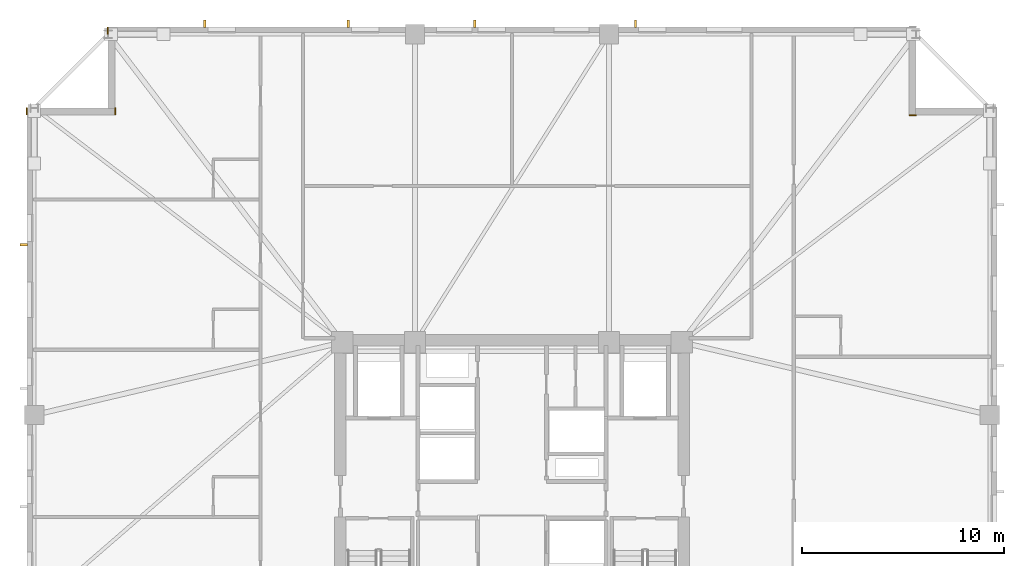
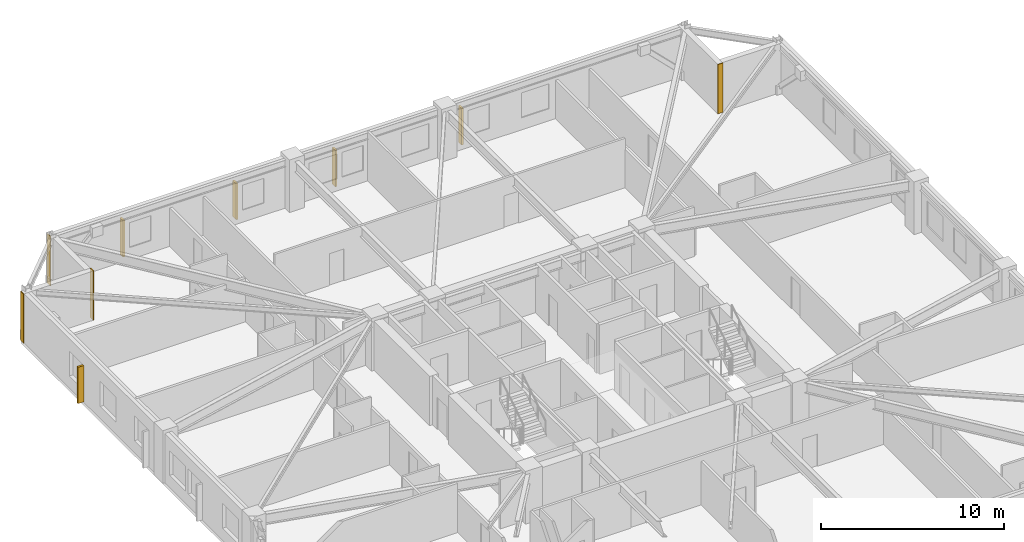
# One storey, part 10 of 11: 5 shading devices, 4 coverings.
"""IFC4 building model written with IfcOpenShell, lengths in metres."""

from ifc_helpers import new_model, si_unit, direction, frame, frame_2d, origin, origin_2d, place, context, subcontext, project, spatial, rectangle, extrude, material, layer, layer_set, type_object, element, save


model = new_model("IFC4")

# Units and contexts
model_context = context("Model", 3, precision=1e-05, world=origin(), true_north=direction((0.0, 1.0)))
body_context = subcontext(model_context, "Body", "Model", "MODEL_VIEW")
ifc_project = project(units=[si_unit("LENGTHUNIT", "METRE"), si_unit("AREAUNIT", "SQUARE_METRE"), si_unit("VOLUMEUNIT", "CUBIC_METRE"), si_unit("PLANEANGLEUNIT", "RADIAN"), si_unit("MASSUNIT", "GRAM", prefix="KILO")], contexts=[model_context])

# Site, building, storey
site_placement = place(None, origin())
site = spatial("IfcSite", under=ifc_project, at=site_placement, CompositionType="ELEMENT")
building_placement = place(site_placement, origin())
building = spatial("IfcBuilding", under=site, at=building_placement, Name="Cairnveth Concourse Tower", CompositionType="ELEMENT")
storey_placement = place(building_placement, frame((0.0, 0.0, 148.0)))
storey = spatial("IfcBuildingStorey", under=building, at=storey_placement, Name="L40", CompositionType="ELEMENT", Elevation=148.0)

# Coverings
ifc_material_1 = material(Name="Dressed Melbourne Bluestone Cladding", Category="masonry")
ifc_layer = layer(ifc_material_1, 0.050048828125)
ifc_layer_set = layer_set([ifc_layer], Name="Dressed Melbourne Bluestone Cladding")
covering_type = type_object("IfcCoveringType", Name="DRESSED BLUESTONE PLINTH CLADDING 50", PredefinedType="CLADDING", material=ifc_layer_set)
for number, where, z_axis, x_axis, name in (
    (1, (27.97998046875, 58.659912109375, 0.0), (0.0, 0.0, 1.0), (0.0, 1.0, 0.0), "Melbourne Bluestone Corner Quoin L40-583"),
    (2, (32.360107421875, 58.659912109375, 0.0), (0.0, 0.0, 1.0), (0.0, 1.0, 0.0), "Melbourne Bluestone Corner Quoin L40-584"),
    (3, (31.97998046875, 62.659912109375, 0.0), (0.0, 0.0, 1.0), (0.0, 1.0, 0.0), "Melbourne Bluestone Corner Quoin L40-585"),
    (4, (71.659912109375, 58.639892578125, 0.0), (0.0, 0.0, 1.0), (1.0, 0.0, 0.0), "Melbourne Bluestone Corner Quoin L40-587"),
):
    element("IfcCovering", number, at=place(storey_placement, frame(where, z_axis=z_axis, x_axis=x_axis)), inside=storey, type_object=covering_type, Name=name, PredefinedType="CLADDING", context=body_context, shape_type="SweptSolid", body=[
        extrude(rectangle(XDim=0.340087890625, YDim=0.050048828125, at=frame_2d((0.169921875, 0.0))), origin(), (0.0, 0.0, 1.0), 3.280029296875),
    ])

# Shading devices
ifc_material_2 = material(Name="Architectural Bronze Anodised Aluminium 6063-T6", Category="aluminium")
shading_device_type = type_object("IfcShadingDeviceType", Name="GOTHIC BRONZE VERTICAL LANCET FIN", PredefinedType="USERDEFINED", material=ifc_material_2)
for number, where, z_axis, x_axis, name in (
    (5, (27.824951171875, 52.22021484375, 0.030029296875), (0.0, 0.0, 1.0), (0.0, 1.0, 0.0), "Gothic Bronze Vertical Fin L40-3-9"),
    (6, (36.791748046875, 63.175048828125, 0.030029296875), (0.0, 0.0, 1.0), (1.0, 0.0, 0.0), "Gothic Bronze Vertical Fin L40-6-1"),
    (7, (43.89892578125, 63.175048828125, 0.030029296875), (0.0, 0.0, 1.0), (1.0, 0.0, 0.0), "Gothic Bronze Vertical Fin L40-6-3"),
    (8, (50.156005859375, 63.175048828125, 0.030029296875), (0.0, 0.0, 1.0), (1.0, 0.0, 0.0), "Gothic Bronze Vertical Fin L40-6-5"),
    (9, (58.113037109375, 63.175048828125, 0.030029296875), (0.0, 0.0, 1.0), (1.0, 0.0, 0.0), "Gothic Bronze Vertical Fin L40-6-7"),
):
    element("IfcShadingDevice", number, at=place(storey_placement, frame(where, z_axis=z_axis, x_axis=x_axis)), inside=storey, type_object=shading_device_type, Name=name, ObjectType="VERTICAL FIN", PredefinedType="USERDEFINED", context=body_context, shape_type="SweptSolid", body=[
        extrude(rectangle(XDim=0.1201171875, YDim=0.360107421875, at=origin_2d()), origin(), (0.0, 0.0, 1.0), 2.419921875),
    ])

save(model, "model.ifc")
